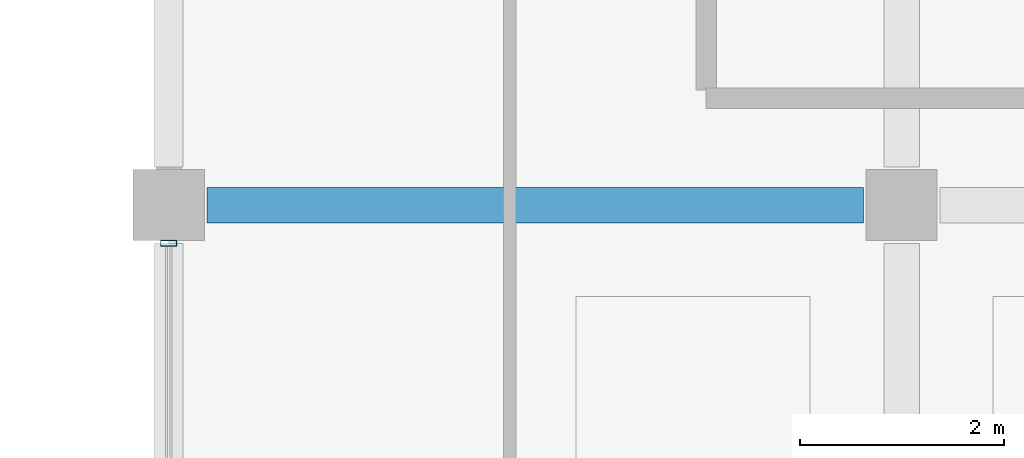
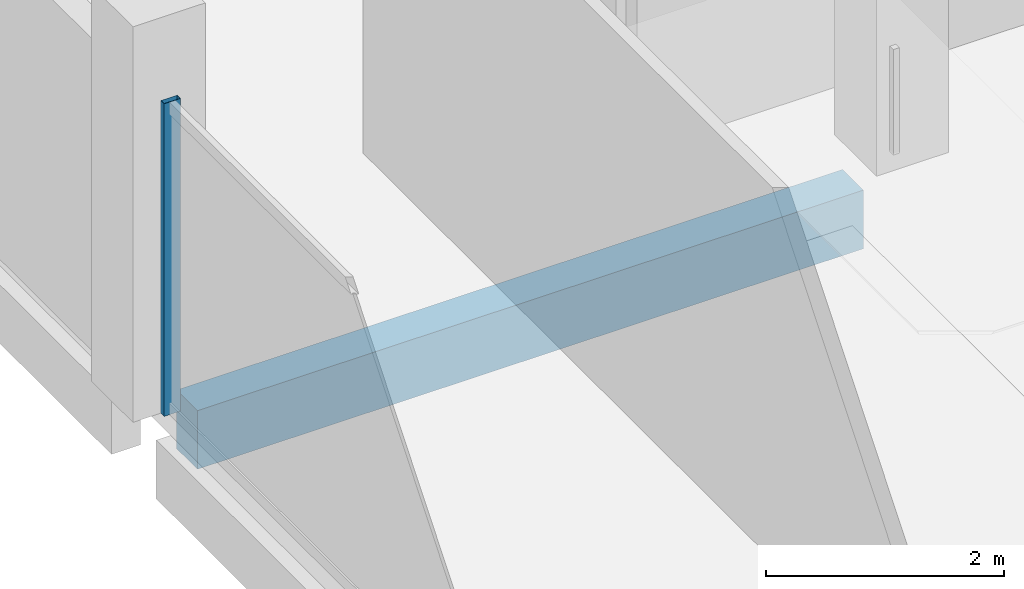
# One storey, part 39 of 91: 1 beam, 1 member, 1 element without a shape of its own.
"""IFC4 building model written with IfcOpenShell, lengths in metres."""

from ifc_helpers import new_model, si_unit, direction, frame, origin, origin_2d, place, context, subcontext, project, spatial, rectangle, hollow_rectangle, extrude, material, layer, layer_set, material_profile, profile_set, type_object, element, aggregate, save


model = new_model("IFC4")

# Units and contexts
model_context = context("Model", 3, precision=1e-05, world=origin(), true_north=direction((0.0, 1.0)))
body_context = subcontext(model_context, "Body", "Model", "MODEL_VIEW")
ifc_project = project(units=[si_unit("LENGTHUNIT", "METRE"), si_unit("AREAUNIT", "SQUARE_METRE"), si_unit("VOLUMEUNIT", "CUBIC_METRE"), si_unit("PLANEANGLEUNIT", "RADIAN"), si_unit("MASSUNIT", "GRAM", prefix="KILO")], contexts=[model_context])

# Site, building, storey
site_placement = place(None, origin())
site = spatial("IfcSite", under=ifc_project, at=site_placement, CompositionType="ELEMENT")
building_placement = place(site_placement, origin())
building = spatial("IfcBuilding", under=site, at=building_placement, Name="Kangsadwip Square Police Headquarters", CompositionType="ELEMENT")
storey_placement = place(building_placement, frame((0.0, 0.0, 13.5)))
storey = spatial("IfcBuildingStorey", under=building, at=storey_placement, Name="L03", CompositionType="ELEMENT", Elevation=13.5)

# Curtain wall, member
ifc_material_1 = material(Name="Thermally broken anodised aluminium AW-6063-T6", Category="aluminium")
ifc_layer = layer(ifc_material_1, 0.159912109375)
ifc_layer_set = layer_set([ifc_layer], Name="Thermally broken anodised aluminium AW-6063-T6")
curtain_wall_type = type_object("IfcCurtainWallType", Name="CourtScreen6510x3200", PredefinedType="USERDEFINED", material=ifc_layer_set)
curtain_wall_placement = place(storey_placement, origin())
curtain_wall = element("IfcCurtainWall", 1, at=curtain_wall_placement, inside=storey, type_object=curtain_wall_type, Name="Curtain Wall CW-L03-1440-0435", ObjectType="GLAZED_SCREEN", PredefinedType="USERDEFINED")
ifc_material_2 = material(Name="Thermally broken anodised aluminium AW-6063-T6", Category="aluminium")
ifc_material_profile_1 = material_profile(ifc_material_2, hollow_rectangle(XDim=0.06005859375, YDim=0.159912109375, WallThickness=0.00390625, at=origin_2d()), Name="CWM 160X60X4")
ifc_profile_set_1 = profile_set([ifc_material_profile_1], Name="Thermally broken anodised aluminium AW-6063-T6")
member_type = type_object("IfcMemberType", Name="CwMullion135x60", PredefinedType="MULLION", material=ifc_profile_set_1)
member_placement = place(storey_placement, frame((144.0, 50.02490234375, 0.0), z_axis=(0.0, 0.0, 1.0), x_axis=(0.0, 1.0, 0.0)))
member = element("IfcMember", 2, at=member_placement, type_object=member_type, Name="CW-19 mullion 2", PredefinedType="MULLION", context=body_context, shape_type="SweptSolid", body=[
    extrude(hollow_rectangle(XDim=0.06005859375, YDim=0.159912109375, WallThickness=0.00390625, at=origin_2d()), origin(), (0.0, 0.0, 1.0), 3.199951171875),
])
aggregate(curtain_wall, [member])

# Beam
ifc_material_3 = material(Name="Concrete M35 (35 MPa)", Category="concrete")
ifc_material_profile_2 = material_profile(ifc_material_3, rectangle(XDim=0.35009765625, YDim=0.60009765625, at=origin_2d()), Name="RC BM 600X350")
ifc_profile_set_2 = profile_set([ifc_material_profile_2], Name="Concrete M35 (35 MPa)")
beam_type = type_object("IfcBeamType", Name="RcBeam600x350", PredefinedType="BEAM", material=ifc_profile_set_2)
beam_placement = place(storey_placement, frame((144.375, 50.39990234375, -0.5400390625), z_axis=(1.0, 0.0, 0.0), x_axis=(0.0, 1.0, 0.0)))
element("IfcBeam", 3, at=beam_placement, inside=storey, type_object=beam_type, Name="Beam BM-L03-X-20-07", PredefinedType="BEAM", context=body_context, shape_type="SweptSolid", body=[
    extrude(rectangle(XDim=0.35009765625, YDim=0.60009765625, at=origin_2d()), origin(), (0.0, 0.0, 1.0), 6.449951171875),
])

save(model, "model.ifc")
